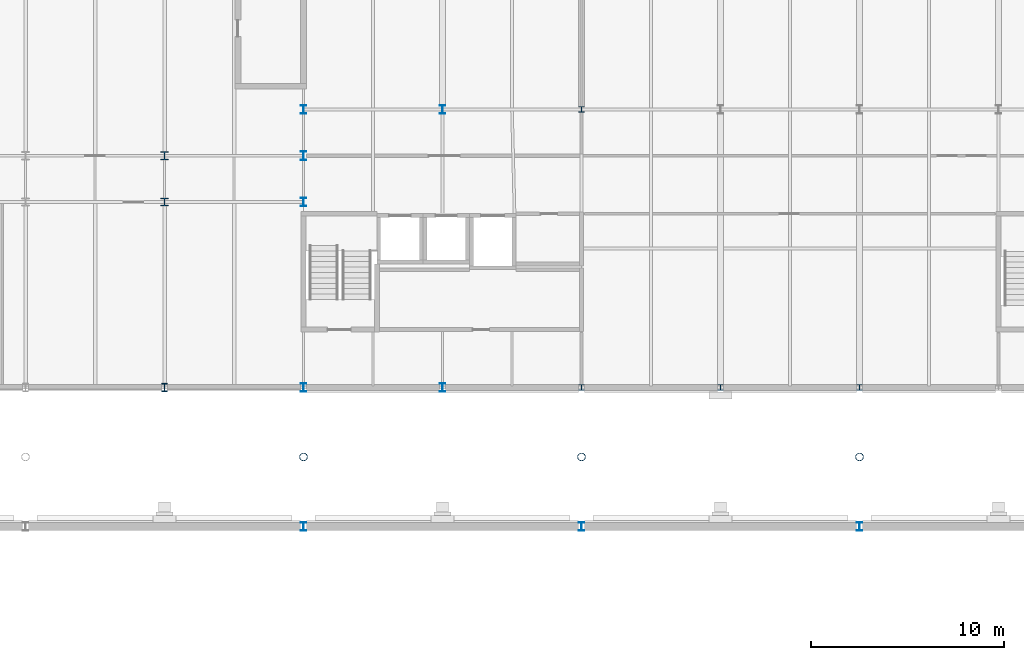
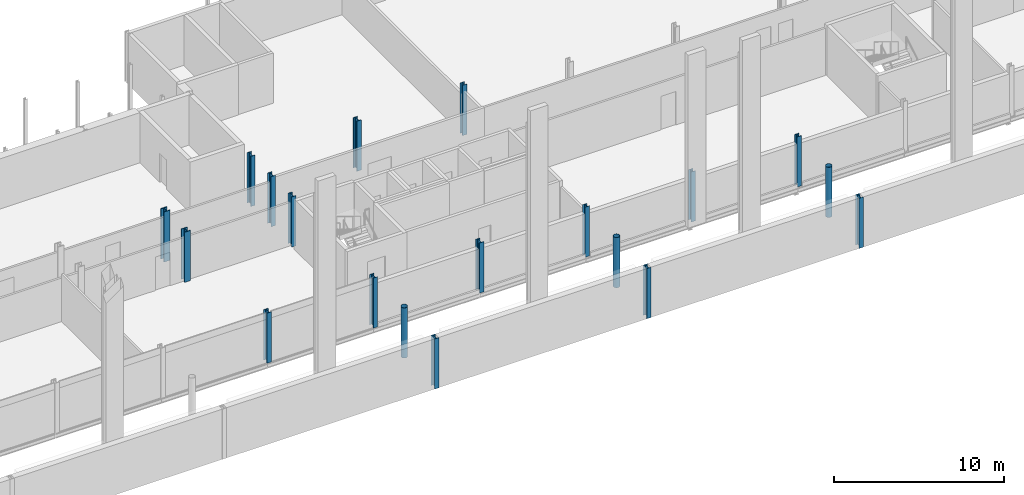
# One storey, part 18 of 90: 19 columns.
"""IFC4 building model written with IfcOpenShell, lengths in metres."""

from ifc_helpers import new_model, si_unit, direction, frame, origin, origin_2d, place, context, subcontext, project, spatial, hollow_circle, i_section, extrude, material, material_profile, profile_set, type_object, element, save


model = new_model("IFC4")

# Units and contexts
model_context = context("Model", 3, precision=1e-05, world=origin(), true_north=direction((0.0, 1.0)))
body_context = subcontext(model_context, "Body", "Model", "MODEL_VIEW")
ifc_project = project(units=[si_unit("LENGTHUNIT", "METRE"), si_unit("AREAUNIT", "SQUARE_METRE"), si_unit("VOLUMEUNIT", "CUBIC_METRE"), si_unit("PLANEANGLEUNIT", "RADIAN"), si_unit("MASSUNIT", "GRAM", prefix="KILO")], contexts=[model_context])

# Site, building, storey
site_placement = place(None, origin())
site = spatial("IfcSite", under=ifc_project, at=site_placement, CompositionType="ELEMENT")
building_placement = place(site_placement, origin())
building = spatial("IfcBuilding", under=site, at=building_placement, Name="Kupolbacken Congress Centre", CompositionType="ELEMENT")
storey_placement = place(building_placement, frame((0.0, 0.0, 3.60009765625)))
storey = spatial("IfcBuildingStorey", under=building, at=storey_placement, Name="L01", CompositionType="ELEMENT", Elevation=3.60009765625)

# Columns
ifc_material_1 = material(Name="Steel S355", Category="steel")
ifc_material_profile_1 = material_profile(ifc_material_1, i_section(OverallWidth=0.408935546875, OverallDepth=0.425048828125, WebThickness=0.03271484375, FlangeThickness=0.052490234375, FilletRadius=0.014892578125, at=origin_2d()), Name="HD 400 x 421")
ifc_profile_set_1 = profile_set([ifc_material_profile_1], Name="Steel S355")
column_type_1 = type_object("IfcColumnType", Name="C01 column HD 400 x 421", PredefinedType="COLUMN", material=ifc_profile_set_1)
for number, where, z_axis, x_axis, name in (
    (1, (129.60009765625, 132.0, 0.0), (0.0, 0.0, 1.0), (1.0, 0.0, 0.0), "S/col/C-T-19U+2400/L01"),
    (2, (129.60009765625, 134.39990234375, 0.0), (0.0, 0.0, 1.0), (1.0, 0.0, 0.0), "S/col/C-T-19U+4800/L01"),
):
    element("IfcColumn", number, at=place(storey_placement, frame(where, z_axis=z_axis, x_axis=x_axis)), inside=storey, type_object=column_type_1, Name=name, PredefinedType="COLUMN", context=body_context, shape_type="SweptSolid", body=[
        extrude(i_section(OverallWidth=0.408935546875, OverallDepth=0.425048828125, WebThickness=0.03271484375, FlangeThickness=0.052490234375, FilletRadius=0.014892578125, at=origin_2d()), origin(), (0.0, 0.0, 1.0), 3.599853515625),
    ])
ifc_material_2 = material(Name="Steel S355", Category="steel")
ifc_material_profile_2 = material_profile(ifc_material_2, i_section(OverallWidth=0.306884765625, OverallDepth=0.431884765625, WebThickness=0.02099609375, FlangeThickness=0.0400390625, FilletRadius=0.027099609375, at=origin_2d()), Name="HEM 400")
ifc_profile_set_2 = profile_set([ifc_material_profile_2], Name="Steel S355")
column_type_2 = type_object("IfcColumnType", Name="C02 column HEM 400", PredefinedType="COLUMN", material=ifc_profile_set_2)
column_placement = place(storey_placement, frame((129.60009765625, 122.39990234375, 0.0), z_axis=(0.0, 0.0, 1.0), x_axis=(1.0, 0.0, 0.0)))
element("IfcColumn", 3, at=column_placement, inside=storey, type_object=column_type_2, Name="S/col/C-T-19T/L01", PredefinedType="COLUMN", context=body_context, shape_type="SweptSolid", body=[
    extrude(i_section(OverallWidth=0.306884765625, OverallDepth=0.431884765625, WebThickness=0.02099609375, FlangeThickness=0.0400390625, FilletRadius=0.027099609375, at=origin_2d()), origin(), (0.0, 0.0, 1.0), 3.599853515625),
])
ifc_material_3 = material(Name="Steel S355", Category="steel")
ifc_material_profile_3 = material_profile(ifc_material_3, i_section(OverallWidth=0.300048828125, OverallDepth=0.449951171875, WebThickness=0.013916015625, FlangeThickness=0.02587890625, FilletRadius=0.027099609375, at=origin_2d()), Name="HEB 450")
ifc_profile_set_3 = profile_set([ifc_material_profile_3], Name="Steel S355")
column_type_3 = type_object("IfcColumnType", Name="C03 column HEB 450", PredefinedType="COLUMN", material=ifc_profile_set_3)
for number, where, z_axis, x_axis, name in (
    (4, (136.800048828125, 136.800048828125, 0.0), (0.0, 0.0, 1.0), (1.0, 0.0, 0.0), "S/col/C-BF-20V/L01"),
    (5, (144.0, 122.39990234375, 0.0), (0.0, 0.0, 1.0), (1.0, 0.0, 0.0), "S/col/C-BF-21T/L01"),
    (6, (144.0, 136.800048828125, 0.0), (0.0, 0.0, 1.0), (1.0, 0.0, 0.0), "S/col/C-BF-21V/L01"),
    (7, (136.800048828125, 122.39990234375, 0.0), (0.0, 0.0, 1.0), (1.0, 0.0, 0.0), "S/col/C-T-20T/L01"),
    (8, (136.800048828125, 132.0, 0.0), (0.0, 0.0, 1.0), (1.0, 0.0, 0.0), "S/col/C-T-20U+2400/L01"),
    (9, (136.800048828125, 134.39990234375, 0.0), (0.0, 0.0, 1.0), (1.0, 0.0, 0.0), "S/col/C-T-20U+4800/L01"),
):
    element("IfcColumn", number, at=place(storey_placement, frame(where, z_axis=z_axis, x_axis=x_axis)), inside=storey, type_object=column_type_3, Name=name, PredefinedType="COLUMN", context=body_context, shape_type="SweptSolid", body=[
        extrude(i_section(OverallWidth=0.300048828125, OverallDepth=0.449951171875, WebThickness=0.013916015625, FlangeThickness=0.02587890625, FilletRadius=0.027099609375, at=origin_2d()), origin(), (0.0, 0.0, 1.0), 3.599853515625),
    ])
ifc_material_4 = material(Name="Steel S355", Category="steel")
ifc_material_profile_4 = material_profile(ifc_material_4, i_section(OverallWidth=0.300048828125, OverallDepth=0.300048828125, WebThickness=0.010986328125, FlangeThickness=0.01904296875, FilletRadius=0.027099609375, at=origin_2d()), Name="HEB 300")
ifc_profile_set_4 = profile_set([ifc_material_profile_4], Name="Steel S355")
column_type_4 = type_object("IfcColumnType", Name="C06 column HEB 300", PredefinedType="COLUMN", material=ifc_profile_set_4)
for number, where, z_axis, x_axis, name in (
    (10, (151.199951171875, 122.39990234375, 0.0), (0.0, 0.0, 1.0), (1.0, 0.0, 0.0), "S/col/C-B-B1S/L01"),
    (11, (158.39990234375, 122.39990234375, 0.0), (0.0, 0.0, 1.0), (1.0, 0.0, 0.0), "S/col/C-B-B2S/L01"),
    (12, (165.60009765625, 122.39990234375, 0.0), (0.0, 0.0, 1.0), (1.0, 0.0, 0.0), "S/col/C-B-B3S/L01"),
    (13, (151.199951171875, 136.800048828125, 0.0), (0.0, 0.0, 1.0), (1.0, 0.0, 0.0), "S/col/C-B-W/L01"),
):
    element("IfcColumn", number, at=place(storey_placement, frame(where, z_axis=z_axis, x_axis=x_axis)), inside=storey, type_object=column_type_4, Name=name, PredefinedType="COLUMN", context=body_context, shape_type="SweptSolid", body=[
        extrude(i_section(OverallWidth=0.300048828125, OverallDepth=0.300048828125, WebThickness=0.010986328125, FlangeThickness=0.01904296875, FilletRadius=0.027099609375, at=origin_2d()), origin(), (0.0, 0.0, 1.0), 3.599853515625),
    ])
ifc_material_5 = material(Name="Steel S355", Category="steel")
ifc_material_profile_5 = material_profile(ifc_material_5, i_section(OverallWidth=0.300048828125, OverallDepth=0.43994140625, WebThickness=0.011474609375, FlangeThickness=0.02099609375, FilletRadius=0.027099609375, at=origin_2d()), Name="HEA 450")
ifc_profile_set_5 = profile_set([ifc_material_profile_5], Name="Steel S355")
column_type_5 = type_object("IfcColumnType", Name="C07 column HEA 450", PredefinedType="COLUMN", material=ifc_profile_set_5)
for number, where, z_axis, x_axis, name in (
    (14, (136.800048828125, 115.199951171875, 0.0), (0.0, 0.0, 1.0), (1.0, 0.0, 0.0), "S/col/C-H-T4N/L01"),
    (15, (151.199951171875, 115.199951171875, 0.0), (0.0, 0.0, 1.0), (1.0, 0.0, 0.0), "S/col/C-H-T5N/L01"),
    (16, (165.60009765625, 115.199951171875, 0.0), (0.0, 0.0, 1.0), (1.0, 0.0, 0.0), "S/col/C-H-T6N/L01"),
):
    element("IfcColumn", number, at=place(storey_placement, frame(where, z_axis=z_axis, x_axis=x_axis)), inside=storey, type_object=column_type_5, Name=name, PredefinedType="COLUMN", context=body_context, shape_type="SweptSolid", body=[
        extrude(i_section(OverallWidth=0.300048828125, OverallDepth=0.43994140625, WebThickness=0.011474609375, FlangeThickness=0.02099609375, FilletRadius=0.027099609375, at=origin_2d()), origin(), (0.0, 0.0, 1.0), 3.599853515625),
    ])
ifc_material_6 = material(Name="Steel S355", Category="steel")
ifc_material_profile_6 = material_profile(ifc_material_6, hollow_circle(Radius=0.203125, WallThickness=0.01611328125, at=origin_2d()), Name="CHS 406.4 x 16")
ifc_profile_set_6 = profile_set([ifc_material_profile_6], Name="Steel S355")
column_type_6 = type_object("IfcColumnType", Name="C15 roof mast CHS 406.4 x 16", PredefinedType="COLUMN", material=ifc_profile_set_6)
for number, where, z_axis, x_axis, name in (
    (17, (136.800048828125, 118.800048828125, 0.0), (0.0, 0.0, 1.0), (1.0, 0.0, 0.0), "Roof mast M4N"),
    (18, (151.199951171875, 118.800048828125, 0.0), (0.0, 0.0, 1.0), (1.0, 0.0, 0.0), "Roof mast M5N"),
    (19, (165.60009765625, 118.800048828125, 0.0), (0.0, 0.0, 1.0), (1.0, 0.0, 0.0), "Roof mast M6N"),
):
    element("IfcColumn", number, at=place(storey_placement, frame(where, z_axis=z_axis, x_axis=x_axis)), inside=storey, type_object=column_type_6, Name=name, PredefinedType="COLUMN", context=body_context, shape_type="SweptSolid", body=[
        extrude(hollow_circle(Radius=0.203125, WallThickness=0.01611328125, at=origin_2d()), origin(), (0.0, 0.0, 1.0), 3.599853515625),
    ])

save(model, "model.ifc")
